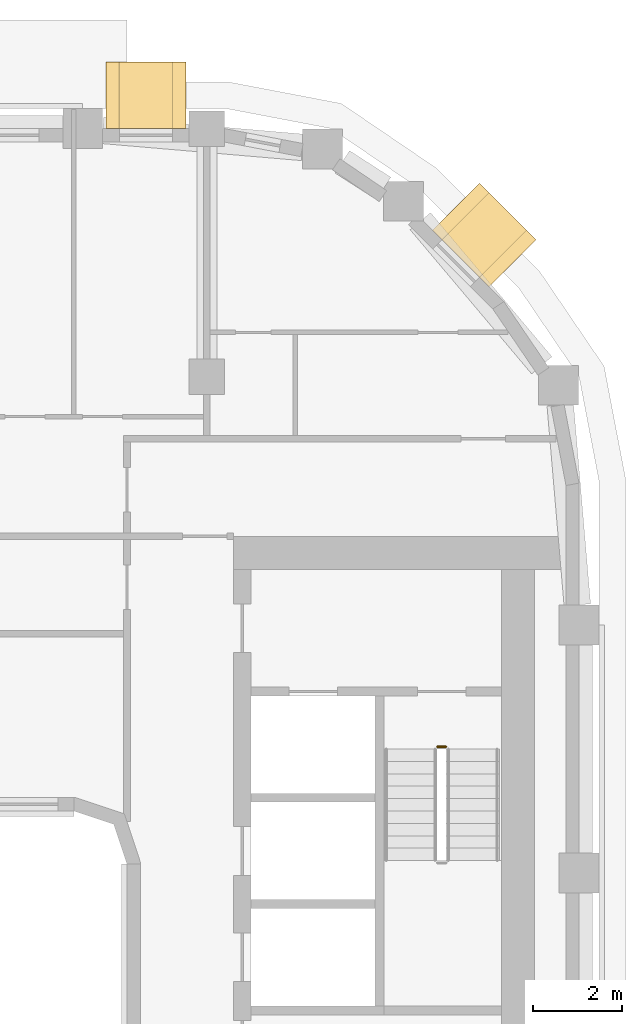
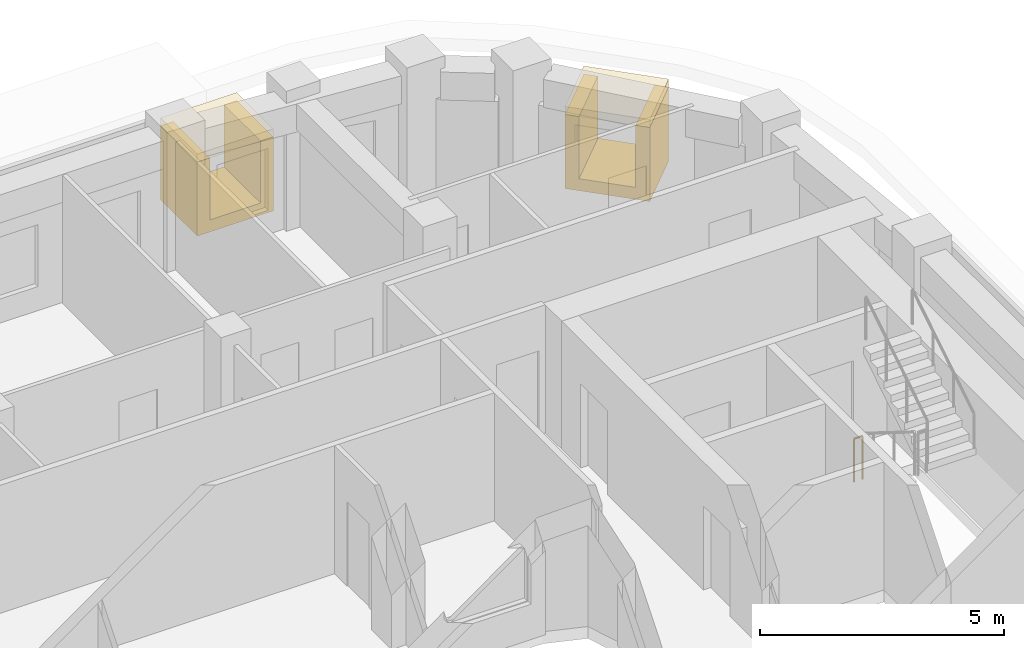
# One storey, part 21 of 21: 4 coverings, 1 railing.
"""IFC4 building model written with IfcOpenShell, lengths in metres."""

from ifc_helpers import new_model, si_unit, direction, frame, origin, origin_2d, place, context, subcontext, project, spatial, polyline, rectangle, circle, outline, extrude, material, layer, layer_set, type_object, element, save


model = new_model("IFC4")

# Units and contexts
model_context = context("Model", 3, precision=1e-05, world=origin(), true_north=direction((0.0, 1.0)))
body_context = subcontext(model_context, "Body", "Model", "MODEL_VIEW")
ifc_project = project(units=[si_unit("LENGTHUNIT", "METRE"), si_unit("AREAUNIT", "SQUARE_METRE"), si_unit("VOLUMEUNIT", "CUBIC_METRE"), si_unit("PLANEANGLEUNIT", "RADIAN"), si_unit("MASSUNIT", "GRAM", prefix="KILO")], contexts=[model_context])

# Site, building, storey
site_placement = place(None, origin())
site = spatial("IfcSite", under=ifc_project, at=site_placement, CompositionType="ELEMENT")
building_placement = place(site_placement, origin())
building = spatial("IfcBuilding", under=site, at=building_placement, Name="Kiln Ring Residences", CompositionType="ELEMENT")
storey_placement = place(building_placement, frame((0.0, 0.0, 199.39990234375)))
storey = spatial("IfcBuildingStorey", under=building, at=storey_placement, Name="L51", CompositionType="ELEMENT", Elevation=199.39990234375)

# Railing
ifc_material_1 = material(Name="Stainless steel", Category="steel")
railing_type = type_object("IfcRailingType", Name="CORE-STAIR-GUARD", PredefinedType="GUARDRAIL", material=ifc_material_1)
railing_placement = place(storey_placement, frame((22.0, 8.449951171875, 0.0)))
element("IfcRailing", 1, at=railing_placement, inside=storey, type_object=railing_type, Name="L51 E-STN stair guard 4", PredefinedType="GUARDRAIL", context=body_context, shape_type="SweptSolid", body=[
    extrude(circle(Radius=0.02392578125, at=origin_2d()), frame((0.0, 0.0, 1.076171875), z_axis=(1.0, 0.0, 0.0), x_axis=(0.0, 1.0, 0.0)), (0.0, 0.0, 1.0), 0.199951171875),
    extrude(circle(Radius=0.02099609375, at=origin_2d()), origin(), (0.0, 0.0, 1.0), 1.052001953125),
    extrude(circle(Radius=0.02099609375, at=origin_2d()), frame((0.199951171875, 0.0, 0.0)), (0.0, 0.0, 1.0), 1.052001953125),
])

# Coverings
ifc_material_2 = material(Name="Brick masonry, dark clay brick", Category="masonry")
ifc_layer_1 = layer(ifc_material_2, 0.300048828125)
ifc_layer_set_1 = layer_set([ifc_layer_1], Name="FRAME CHEEKS AND SILL 1500")
covering_type_1 = type_object("IfcCoveringType", Name="FRAME CHEEKS AND SILL 1500", PredefinedType="CLADDING", material=ifc_layer_set_1)
for number, where, z_axis, x_axis, name in (
    (2, (23.697509765625, 19.36328125, 0.300048828125), (0.0, 0.0, 1.0), (-0.707174592913, 0.707038962956, 0.0), "FRAME L51"),
    (3, (16.324951171875, 23.14990234375, 0.300048828125), (0.0, 0.0, 1.0), (-1.0, 0.0, 0.0), "FRAME L51"),
):
    element("IfcCovering", number, at=place(storey_placement, frame(where, z_axis=z_axis, x_axis=x_axis)), inside=storey, type_object=covering_type_1, Name=name, PredefinedType="CLADDING", context=body_context, shape_type="SweptSolid", body=[
        extrude(outline(polyline([(0.0, 0.0), (1.800048828125, 0.0), (1.800048828125, 1.85009765625), (1.5009765625, 1.85009765625), (1.5, 0.300048828125), (0.300048828125, 0.300048828125), (0.299072265625, 1.85009765625), (0.0, 1.85009765625), (0.0, 0.0)])), frame((0.0, 0.75, 0.0), z_axis=(0.0, -1.0, 0.0), x_axis=(1.0, 0.0, 0.0)), (0.0, 0.0, 1.0), 1.5),
    ])
ifc_material_3 = material(Name="Brick masonry, dark clay brick", Category="masonry")
ifc_layer_2 = layer(ifc_material_3, 0.199951171875)
ifc_layer_set_2 = layer_set([ifc_layer_2], Name="FRAME HEAD 1500")
covering_type_2 = type_object("IfcCoveringType", Name="FRAME HEAD 1500", PredefinedType="CLADDING", material=ifc_layer_set_2)
for number, where, z_axis, x_axis, name in (
    (4, (23.06103515625, 19.999755859375, 2.14990234375), (0.0, 0.0, 1.0), (-0.707106781187, 0.707106781187, 0.0), "FRAME HEAD L51"),
    (5, (15.425048828125, 23.14990234375, 2.14990234375), (0.0, 0.0, 1.0), (-1.0, 0.0, 0.0), "FRAME HEAD L51"),
):
    element("IfcCovering", number, at=place(storey_placement, frame(where, z_axis=z_axis, x_axis=x_axis)), inside=storey, type_object=covering_type_2, Name=name, PredefinedType="CLADDING", context=body_context, shape_type="SweptSolid", body=[
        extrude(rectangle(XDim=1.800048828125, YDim=1.5, at=origin_2d()), origin(), (0.0, 0.0, 1.0), 0.199951171875),
    ])

save(model, "model.ifc")
